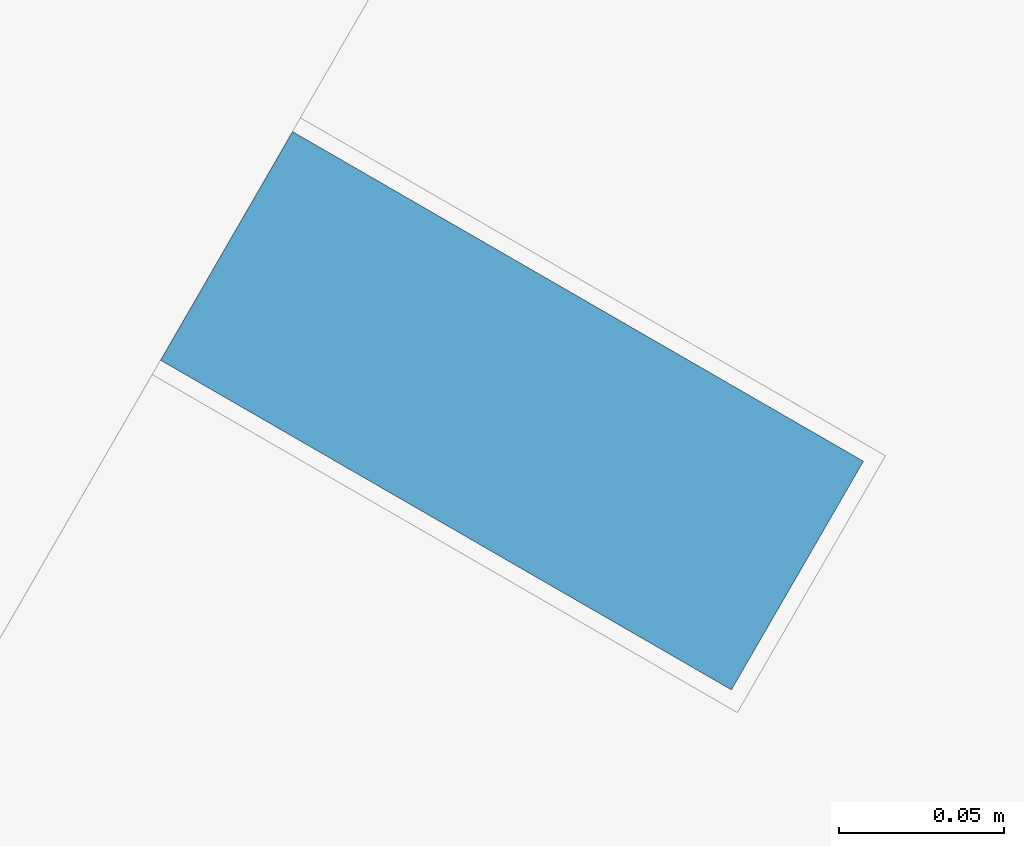
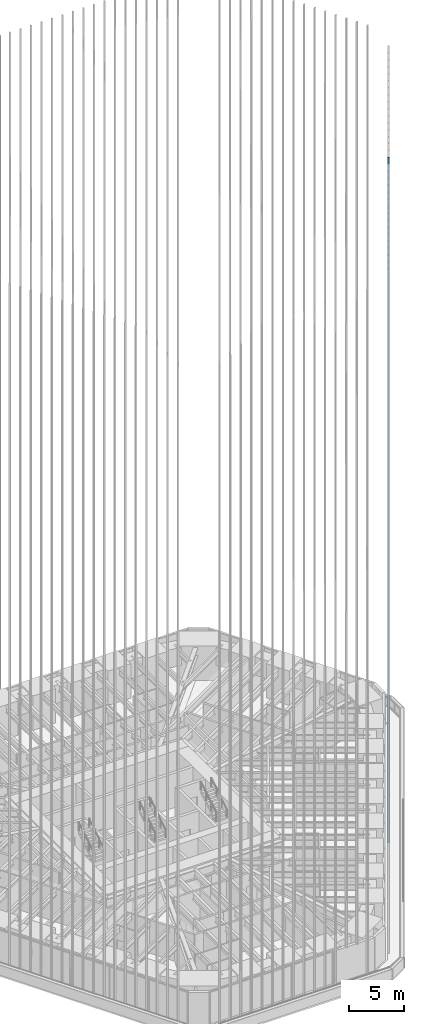
# One storey, part 95 of 238: 1 member, 1 element without a shape of its own.
"""IFC4 building model written with IfcOpenShell, lengths in metres."""

from ifc_helpers import new_model, si_unit, direction, frame, origin, origin_2d, place, context, subcontext, project, spatial, rectangle, extrude, material, material_profile, profile_set, type_object, element, aggregate, save


model = new_model("IFC4")

# Units and contexts
model_context = context("Model", 3, precision=1e-05, world=origin(), true_north=direction((0.0, 1.0)))
body_context = subcontext(model_context, "Body", "Model", "MODEL_VIEW")
ifc_project = project(units=[si_unit("LENGTHUNIT", "METRE"), si_unit("AREAUNIT", "SQUARE_METRE"), si_unit("VOLUMEUNIT", "CUBIC_METRE"), si_unit("PLANEANGLEUNIT", "RADIAN"), si_unit("MASSUNIT", "GRAM", prefix="KILO")], contexts=[model_context])

# Site, building, storey
site_placement = place(None, origin())
site = spatial("IfcSite", under=ifc_project, at=site_placement, CompositionType="ELEMENT")
building_placement = place(site_placement, origin())
building = spatial("IfcBuilding", under=site, at=building_placement, Name="Sandreach Pilgrim Tower", CompositionType="ELEMENT")
storey_placement = place(building_placement, frame((0.0, 0.0, 96.800048828125)))
storey = spatial("IfcBuildingStorey", under=building, at=storey_placement, Name="L23", CompositionType="ELEMENT", Elevation=96.800048828125)

# Curtain wall, member
ifc_material_1 = material(Name="Aluminium framed curtain wall", Category="aluminium")
curtain_wall_type = type_object("IfcCurtainWallType", Name="Hotel tower curtain wall", PredefinedType="NOTDEFINED", material=ifc_material_1)
curtain_wall_placement = place(storey_placement, origin())
curtain_wall = element("IfcCurtainWall", 1, at=curtain_wall_placement, inside=storey, type_object=curtain_wall_type, Name="CW-2 L23 SE", PredefinedType="NOTDEFINED")
ifc_material_2 = material(Name="Extruded terracotta on aluminium core", Category="masonry")
ifc_material_profile = material_profile(ifc_material_2, rectangle(XDim=0.080078125, YDim=0.199951171875, at=origin_2d()), Name="TBE 80X200")
ifc_profile_set = profile_set([ifc_material_profile], Name="Extruded terracotta on aluminium core")
member_type = type_object("IfcMemberType", Name="Terracotta baguette east", PredefinedType="USERDEFINED", material=ifc_profile_set)
member_placement = place(storey_placement, frame((19.82666015625, -11.44677734375, 0.0), z_axis=(0.0, 0.0, 1.0), x_axis=(-0.5, -0.866025403784, 0.0)))
member = element("IfcMember", 2, at=member_placement, type_object=member_type, Name="Baguette Z2 SE17", ObjectType="BAGUETTE", PredefinedType="USERDEFINED", context=body_context, shape_type="SweptSolid", body=[
    extrude(rectangle(XDim=0.080078125, YDim=0.199951171875, at=origin_2d()), origin(), (0.0, 0.0, 1.0), 75.83984375),
])
aggregate(curtain_wall, [member])

save(model, "model.ifc")
